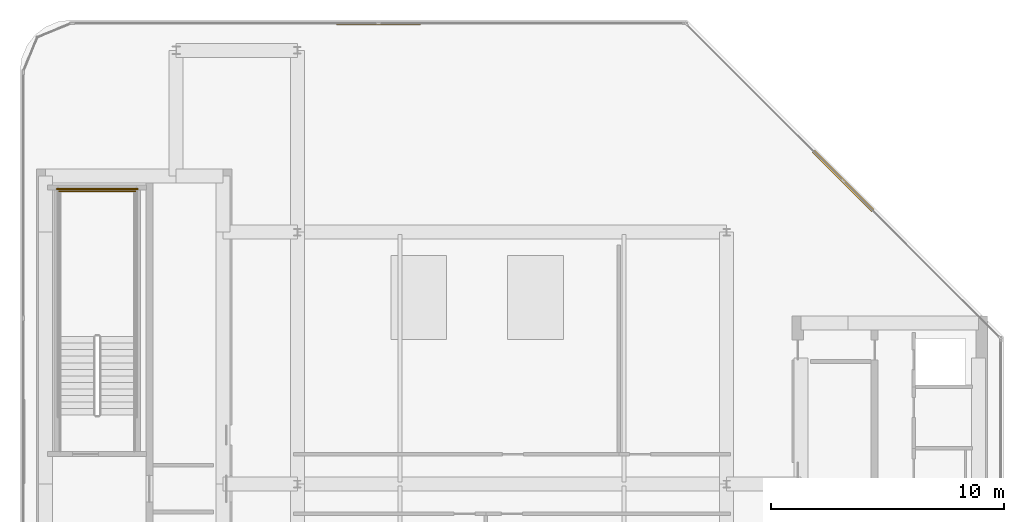
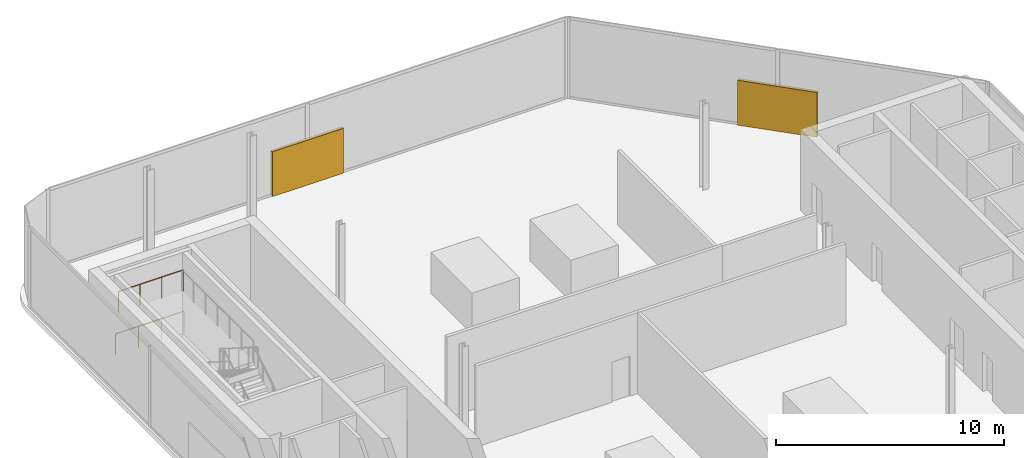
# One storey, part 15 of 15: 2 railings, 2 shading devices.
"""IFC4 building model written with IfcOpenShell, lengths in metres."""

from ifc_helpers import new_model, si_unit, direction, frame, origin, origin_2d, place, context, subcontext, project, spatial, rectangle, circle, extrude, material, layer, layer_set, type_object, element, save


model = new_model("IFC4")

# Units and contexts
model_context = context("Model", 3, precision=1e-05, world=origin(), true_north=direction((0.0, 1.0)))
body_context = subcontext(model_context, "Body", "Model", "MODEL_VIEW")
ifc_project = project(units=[si_unit("LENGTHUNIT", "METRE"), si_unit("AREAUNIT", "SQUARE_METRE"), si_unit("VOLUMEUNIT", "CUBIC_METRE"), si_unit("PLANEANGLEUNIT", "RADIAN"), si_unit("MASSUNIT", "GRAM", prefix="KILO")], contexts=[model_context])

# Site, building, storey
site_placement = place(None, origin())
site = spatial("IfcSite", under=ifc_project, at=site_placement, CompositionType="ELEMENT")
building_placement = place(site_placement, origin())
building = spatial("IfcBuilding", under=site, at=building_placement, Name="Khairoan Windgate Tower", CompositionType="ELEMENT")
storey_placement = place(building_placement, frame((0.0, 0.0, 330.39990234375)))
storey = spatial("IfcBuildingStorey", under=building, at=storey_placement, Name="L79", CompositionType="ELEMENT", Elevation=330.39990234375)

# Shading devices
ifc_material_1 = material(Name="Anodised Bronze Aluminium 6063-T6", Category="aluminium")
ifc_layer = layer(ifc_material_1, 0.14990234375, Name="Anodised Bronze Aluminium 6063-T6")
ifc_layer_set = layer_set([ifc_layer], Name="Anodised Bronze Aluminium 6063-T6")
shading_device_type = type_object("IfcShadingDeviceType", Name="Acoustic Bronze Plant Weather Louvre BWL-1", PredefinedType="JALOUSIE", material=ifc_layer_set)
for number, where, z_axis, x_axis, name in (
    (1, (-5.724365234375, 19.760009765625, 0.000244140625), (0.0, 0.0, 1.0), (1.0, 0.0, 0.0), "L79 Acoustic Bronze Plant Louvre 5"),
    (2, (14.200927734375, 13.0009765625, 0.000244140625), (0.0, 0.0, 1.0), (0.707106781187, -0.707106781187, 0.0), "L79 Acoustic Bronze Plant Louvre 6"),
):
    element("IfcShadingDevice", number, at=place(storey_placement, frame(where, z_axis=z_axis, x_axis=x_axis)), inside=storey, type_object=shading_device_type, Name=name, PredefinedType="JALOUSIE", context=body_context, shape_type="SweptSolid", body=[
        extrude(rectangle(XDim=3.60009765625, YDim=0.14990234375, at=origin_2d()), origin(), (0.0, 0.0, 1.0), 2.39990234375),
    ])

# Railings
ifc_material_2 = material(Name="Steel S355", Category="steel")
railing_type = type_object("IfcRailingType", Name="Stairwell Safety Guardrail SGR-1150", PredefinedType="GUARDRAIL", material=ifc_material_2)
railing_1_placement = place(storey_placement, frame((-16.14990234375, 12.550048828125, 2.300048828125)))
element("IfcRailing", 3, at=railing_1_placement, inside=storey, type_object=railing_type, Name="L79 ST2 stair guard 5", PredefinedType="GUARDRAIL", context=body_context, shape_type="SweptSolid", body=[
    extrude(circle(Radius=0.02392578125, at=origin_2d()), frame((0.0, 0.0, 1.1259765625), z_axis=(-1.0, 0.0, 0.0), x_axis=(0.0, -1.0, 0.0)), (0.0, 0.0, 1.0), 3.27001953125),
    extrude(circle(Radius=0.02099609375, at=origin_2d()), origin(), (0.0, 0.0, 1.0), 1.101806640625),
    extrude(circle(Radius=0.02099609375, at=origin_2d()), frame((-1.090087890625, 0.0, 0.0)), (0.0, 0.0, 1.0), 1.101806640625),
    extrude(circle(Radius=0.02099609375, at=origin_2d()), frame((-2.179931640625, 0.0, 0.0)), (0.0, 0.0, 1.0), 1.101806640625),
    extrude(circle(Radius=0.02099609375, at=origin_2d()), frame((-3.27001953125, 0.0, 0.0)), (0.0, 0.0, 1.0), 1.101806640625),
])
railing_2_placement = place(storey_placement, frame((-16.050048828125, 12.64990234375, 0.0)))
element("IfcRailing", 4, at=railing_2_placement, inside=storey, type_object=railing_type, Name="L79 ST2 stair guard 12", PredefinedType="GUARDRAIL", context=body_context, shape_type="SweptSolid", body=[
    extrude(circle(Radius=0.02392578125, at=origin_2d()), frame((0.0, 0.0, 1.1259765625), z_axis=(-1.0, 0.0, 0.0), x_axis=(0.0, -1.0, 0.0)), (0.0, 0.0, 1.0), 3.469970703125),
    extrude(circle(Radius=0.02099609375, at=origin_2d()), origin(), (0.0, 0.0, 1.0), 1.101806640625),
    extrude(circle(Radius=0.02099609375, at=origin_2d()), frame((-1.15673828125, 0.0, 0.0)), (0.0, 0.0, 1.0), 1.101806640625),
    extrude(circle(Radius=0.02099609375, at=origin_2d()), frame((-2.313232421875, 0.0, 0.0)), (0.0, 0.0, 1.0), 1.101806640625),
    extrude(circle(Radius=0.02099609375, at=origin_2d()), frame((-3.469970703125, 0.0, 0.0)), (0.0, 0.0, 1.0), 1.101806640625),
])

save(model, "model.ifc")
